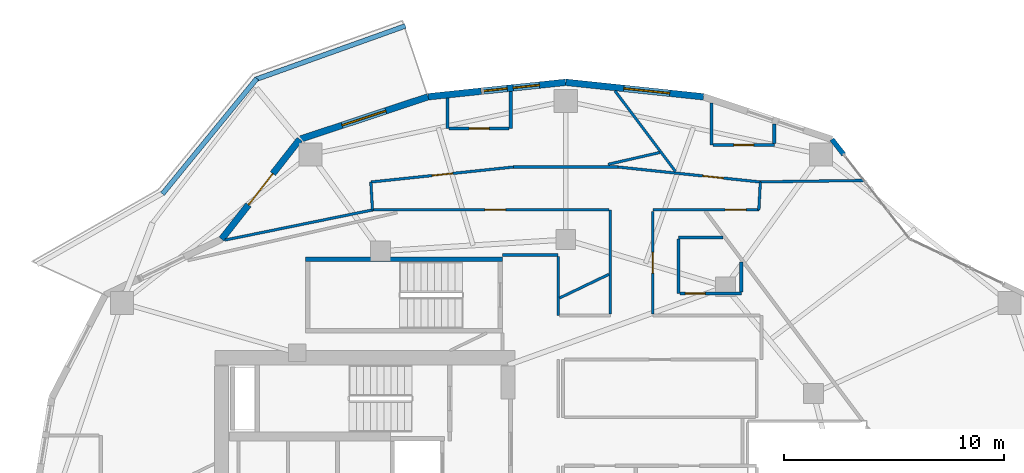
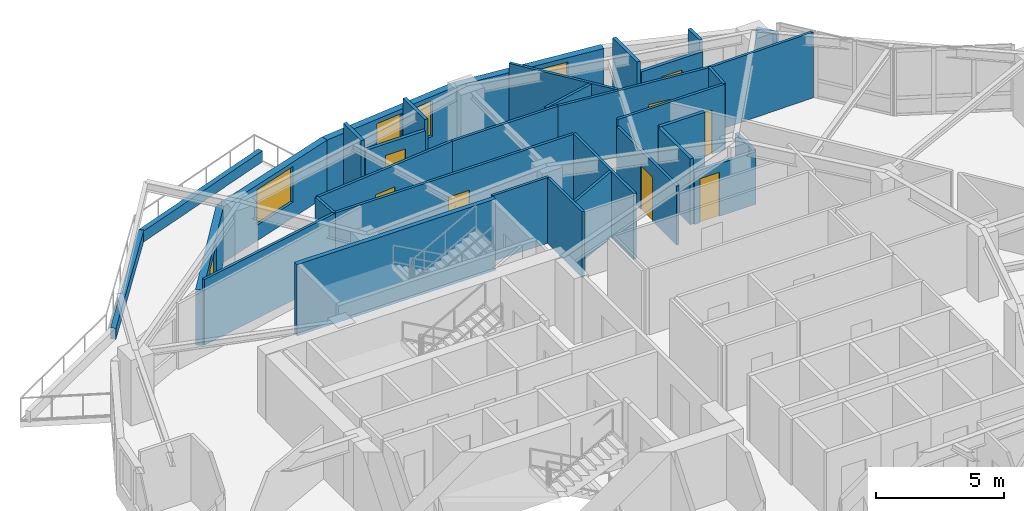
# One storey, part 12 of 19: 34 walls, 9 doors, 4 windows, 13 openings.
"""IFC4 building model written with IfcOpenShell, lengths in metres."""

from ifc_helpers import new_model, si_unit, direction, frame, frame_2d, origin, place, context, subcontext, project, spatial, rectangle, extrude, material, layer, layer_set, type_object, element, fill, save


model = new_model("IFC4")

# Units and contexts
model_context = context("Model", 3, precision=1e-05, world=origin(), true_north=direction((0.0, 1.0)))
body_context = subcontext(model_context, "Body", "Model", "MODEL_VIEW")
ifc_project = project(units=[si_unit("LENGTHUNIT", "METRE"), si_unit("AREAUNIT", "SQUARE_METRE"), si_unit("VOLUMEUNIT", "CUBIC_METRE"), si_unit("PLANEANGLEUNIT", "RADIAN"), si_unit("MASSUNIT", "GRAM", prefix="KILO")], contexts=[model_context])

# Site, building, storey
site_placement = place(None, origin())
site = spatial("IfcSite", under=ifc_project, at=site_placement, CompositionType="ELEMENT")
building_placement = place(site_placement, origin())
building = spatial("IfcBuilding", under=site, at=building_placement, Name="Kolvaren Gate Tower and Convention Centre", CompositionType="ELEMENT")
storey_placement = place(building_placement, frame((0.0, 0.0, 122.300048828125)))
storey = spatial("IfcBuildingStorey", under=building, at=storey_placement, Name="L30", CompositionType="ELEMENT", Elevation=122.300048828125)

# Walls
ifc_material_1 = material(Name="Fire-Rated Acoustic Gypsum Stud Partition", Category="gypsum")
ifc_layer_1 = layer(ifc_material_1, 0.1201171875)
ifc_layer_set_1 = layer_set([ifc_layer_1], Name="Fire-Rated Acoustic Gypsum Stud Partition")
wall_type_1 = type_object("IfcWallType", Name="ARCH-WL-PART-120", PredefinedType="PARTITIONING", material=ifc_layer_set_1)
wall_1_placement = place(storey_placement, frame((21.263916015625, 41.81787109375, 0.0), z_axis=(0.0, 0.0, 1.0), x_axis=(0.0574492264, -0.99834842935, 0.0)))
element("IfcWall", 1, at=wall_1_placement, inside=storey, type_object=wall_type_1, Name="Interior Partition WL-L30-INT-035", PredefinedType="PARTITIONING", context=body_context, shape_type="SweptSolid", body=[
    extrude(rectangle(XDim=1.270751953125, YDim=0.1201171875, at=frame_2d((0.63525390625, 0.0))), origin(), (0.0, 0.0, 1.0), 3.1298828125),
])
wall_2_placement = place(storey_placement, frame((27.25, 38.5, 0.0), z_axis=(0.0, 0.0, 1.0), x_axis=(1.0, 0.0, 0.0)))
element("IfcWall", 2, at=wall_2_placement, inside=storey, type_object=wall_type_1, Name="Interior Partition WL-L30-INT-039", PredefinedType="PARTITIONING", context=body_context, shape_type="SweptSolid", body=[
    extrude(rectangle(XDim=2.530029296875, YDim=0.1201171875, at=frame_2d((1.26513671875, 0.0))), origin(), (0.0, 0.0, 1.0), 3.1298828125),
])
wall_3_placement = place(storey_placement, frame((29.780029296875, 35.75, 0.0), z_axis=(0.0, 0.0, 1.0), x_axis=(0.0, 1.0, 0.0)))
element("IfcWall", 3, at=wall_3_placement, inside=storey, type_object=wall_type_1, Name="Interior Partition WL-L30-INT-043", PredefinedType="PARTITIONING", context=body_context, shape_type="SweptSolid", body=[
    extrude(rectangle(XDim=2.68798828125, YDim=0.1201171875, at=frame_2d((1.343994140625, 0.0))), origin(), (0.0, 0.0, 1.0), 3.1298828125),
])
wall_4_placement = place(storey_placement, frame((32.14990234375, 35.81201171875, 0.0), z_axis=(0.0, 0.0, 1.0), x_axis=(0.0, 1.0, 0.0)))
element("IfcWall", 4, at=wall_4_placement, inside=storey, type_object=wall_type_1, Name="Interior Partition WL-L30-INT-046", PredefinedType="PARTITIONING", context=body_context, shape_type="SweptSolid", body=[
    extrude(rectangle(XDim=4.738037109375, YDim=0.1201171875, at=frame_2d((2.369140625, 0.0))), origin(), (0.0, 0.0, 1.0), 3.1298828125),
])

# Wall, opening, door
wall_5_placement = place(storey_placement, frame((21.3505859375, 40.550048828125, 0.0), z_axis=(0.0, 0.0, 1.0), x_axis=(1.0, 0.0, 0.0)))
wall_5 = element("IfcWall", 5, at=wall_5_placement, inside=storey, type_object=wall_type_1, Name="Interior Partition WL-L30-INT-047", PredefinedType="PARTITIONING", context=body_context, shape_type="SweptSolid", body=[
    extrude(rectangle(XDim=10.7373046875, YDim=0.1201171875, at=frame_2d((5.36865234375, 0.0))), origin(), (0.0, 0.0, 1.0), 3.1298828125),
])
opening_1_placement = place(wall_5_placement, frame((5.09228515625, 0.0, 0.0)))
opening_1 = element("IfcOpeningElement", 6, at=opening_1_placement, cuts=wall_5, Name="Opening DR-01", PredefinedType="OPENING", context=body_context, shape_type="SweptSolid", body=[
    extrude(rectangle(XDim=0.949951171875, YDim=2.10009765625, at=frame_2d((0.47509765625, 1.050048828125))), frame((0.0, 0.070068359375, 0.0), z_axis=(0.0, -1.0, 0.0), x_axis=(1.0, 0.0, 0.0)), (0.0, 0.0, 1.0), 0.14013671875),
])
ifc_material_2 = material(Name="Painted Architectural Steelwork ASTM A500 Grade C 345 MPa", Category="steel")
door_type_1 = type_object("IfcDoorType", Name="ARCH-DR-RISER-950", OperationType="SINGLE_SWING_RIGHT", PredefinedType="DOOR", material=ifc_material_2)
door_1_placement = place(opening_1_placement, origin())
door_1 = element("IfcDoor", 7, at=door_1_placement, inside=storey, type_object=door_type_1, Name="Deluxe Hotel Suite (HTL-L30-09) Door", OperationType="SINGLE_SWING_LEFT", OverallHeight=2.10009765625, OverallWidth=0.949951171875, PredefinedType="DOOR", context=body_context, shape_type="SweptSolid", body=[
    extrude(rectangle(XDim=0.949951171875, YDim=2.10009765625, at=frame_2d((0.47509765625, 1.050048828125))), frame((0.0, 0.02490234375, 0.0), z_axis=(0.0, -1.0, 0.0), x_axis=(1.0, 0.0, 0.0)), (0.0, 0.0, 1.0), 0.050048828125),
])
fill(opening_1, door_1)

wall_6_placement = place(storey_placement, frame((34.080078125, 40.550048828125, 0.0), z_axis=(0.0, 0.0, 1.0), x_axis=(1.0, 0.0, 0.0)))
wall_6 = element("IfcWall", 8, at=wall_6_placement, inside=storey, type_object=wall_type_1, Name="Interior Partition WL-L30-INT-048", PredefinedType="PARTITIONING", context=body_context, shape_type="SweptSolid", body=[
    extrude(rectangle(XDim=4.81982421875, YDim=0.1201171875, at=frame_2d((2.409912109375, 0.0))), origin(), (0.0, 0.0, 1.0), 3.1298828125),
])
opening_2_placement = place(wall_6_placement, frame((3.29052734375, 0.0, 0.0)))
opening_2 = element("IfcOpeningElement", 9, at=opening_2_placement, cuts=wall_6, Name="Opening DR-01", PredefinedType="OPENING", context=body_context, shape_type="SweptSolid", body=[
    extrude(rectangle(XDim=0.949951171875, YDim=2.10009765625, at=frame_2d((0.47509765625, 1.050048828125))), frame((0.0, 0.070068359375, 0.0), z_axis=(0.0, -1.0, 0.0), x_axis=(1.0, 0.0, 0.0)), (0.0, 0.0, 1.0), 0.14013671875),
])
door_2_placement = place(opening_2_placement, origin())
door_2 = element("IfcDoor", 10, at=door_2_placement, inside=storey, type_object=door_type_1, Name="Deluxe Hotel Suite (HTL-L30-05) Door", OperationType="SINGLE_SWING_LEFT", OverallHeight=2.10009765625, OverallWidth=0.949951171875, PredefinedType="DOOR", context=body_context, shape_type="SweptSolid", body=[
    extrude(rectangle(XDim=0.949951171875, YDim=2.10009765625, at=frame_2d((0.47509765625, 1.050048828125))), frame((0.0, 0.02490234375, 0.0), z_axis=(0.0, -1.0, 0.0), x_axis=(1.0, 0.0, 0.0)), (0.0, 0.0, 1.0), 0.050048828125),
])
fill(opening_2, door_2)

wall_7_placement = place(storey_placement, frame((21.282958984375, 41.819091796875, 0.0), z_axis=(0.0, 0.0, 1.0), x_axis=(0.994501131299, 0.104725831799, 0.0)))
wall_7 = element("IfcWall", 11, at=wall_7_placement, inside=storey, type_object=wall_type_1, Name="Interior Partition WL-L30-INT-049", PredefinedType="PARTITIONING", context=body_context, shape_type="SweptSolid", body=[
    extrude(rectangle(XDim=6.501708984375, YDim=0.1201171875, at=frame_2d((3.2509765625, 0.0))), origin(), (0.0, 0.0, 1.0), 3.1298828125),
])
opening_3_placement = place(wall_7_placement, frame((2.77587890625, 0.0, 0.0)))
opening_3 = element("IfcOpeningElement", 12, at=opening_3_placement, cuts=wall_7, Name="Opening DR-01", PredefinedType="OPENING", context=body_context, shape_type="SweptSolid", body=[
    extrude(rectangle(XDim=0.949951171875, YDim=2.10009765625, at=frame_2d((0.47509765625, 1.050048828125))), frame((0.0, 0.070068359375, 0.0), z_axis=(0.0, -1.0, 0.0), x_axis=(1.0, 0.0, 0.0)), (0.0, 0.0, 1.0), 0.14013671875),
])
door_3_placement = place(opening_3_placement, origin())
door_3 = element("IfcDoor", 13, at=door_3_placement, inside=storey, type_object=door_type_1, Name="Hotel Guest Room (HTL-L30-08) Door", OperationType="SINGLE_SWING_RIGHT", OverallHeight=2.10009765625, OverallWidth=0.949951171875, PredefinedType="DOOR", context=body_context, shape_type="SweptSolid", body=[
    extrude(rectangle(XDim=0.949951171875, YDim=2.10009765625, at=frame_2d((0.47509765625, 1.050048828125))), frame((0.0, 0.02490234375, 0.0), z_axis=(0.0, -1.0, 0.0), x_axis=(1.0, 0.0, 0.0)), (0.0, 0.0, 1.0), 0.050048828125),
])
fill(opening_3, door_3)

# Wall
wall_8_placement = place(storey_placement, frame((27.7490234375, 42.5, 0.0), z_axis=(0.0, 0.0, 1.0), x_axis=(1.0, 0.0, 0.0)))
element("IfcWall", 14, at=wall_8_placement, inside=storey, type_object=wall_type_1, Name="Interior Partition WL-L30-INT-050", PredefinedType="PARTITIONING", context=body_context, shape_type="SweptSolid", body=[
    extrude(rectangle(XDim=4.751953125, YDim=0.1201171875, at=frame_2d((2.3759765625, 0.0))), origin(), (0.0, 0.0, 1.0), 3.1298828125),
])

# Wall, opening, door
wall_9_placement = place(storey_placement, frame((32.5009765625, 42.5, 0.0), z_axis=(0.0, 0.0, 1.0), x_axis=(0.994501131299, -0.104725831799, 0.0)))
wall_9 = element("IfcWall", 15, at=wall_9_placement, inside=storey, type_object=wall_type_1, Name="Interior Partition WL-L30-INT-051", PredefinedType="PARTITIONING", context=body_context, shape_type="SweptSolid", body=[
    extrude(rectangle(XDim=6.501708984375, YDim=0.1201171875, at=frame_2d((3.2509765625, 0.0))), origin(), (0.0, 0.0, 1.0), 3.1298828125),
])
opening_4_placement = place(wall_9_placement, frame((3.867919921875, 0.0, 0.0)))
opening_4 = element("IfcOpeningElement", 16, at=opening_4_placement, cuts=wall_9, Name="Opening DR-01", PredefinedType="OPENING", context=body_context, shape_type="SweptSolid", body=[
    extrude(rectangle(XDim=0.949951171875, YDim=2.10009765625, at=frame_2d((0.47509765625, 1.050048828125))), frame((0.0, 0.070068359375, 0.0), z_axis=(0.0, -1.0, 0.0), x_axis=(1.0, 0.0, 0.0)), (0.0, 0.0, 1.0), 0.14013671875),
])
door_4_placement = place(opening_4_placement, origin())
door_4 = element("IfcDoor", 17, at=door_4_placement, inside=storey, type_object=door_type_1, Name="Deluxe Hotel Suite (HTL-L30-07) Door", OperationType="SINGLE_SWING_LEFT", OverallHeight=2.10009765625, OverallWidth=0.949951171875, PredefinedType="DOOR", context=body_context, shape_type="SweptSolid", body=[
    extrude(rectangle(XDim=0.949951171875, YDim=2.10009765625, at=frame_2d((0.47509765625, 1.050048828125))), frame((0.0, 0.02490234375, 0.0), z_axis=(0.0, -1.0, 0.0), x_axis=(1.0, 0.0, 0.0)), (0.0, 0.0, 1.0), 0.050048828125),
])
fill(opening_4, door_4)

# Wall
wall_10_placement = place(storey_placement, frame((38.89990234375, 40.550048828125, 0.0), z_axis=(0.0, 0.0, 1.0), x_axis=(0.052810816763, 0.998604535155, 0.0)))
element("IfcWall", 18, at=wall_10_placement, inside=storey, type_object=wall_type_1, Name="Interior Partition WL-L30-INT-052", PredefinedType="PARTITIONING", context=body_context, shape_type="SweptSolid", body=[
    extrude(rectangle(XDim=1.271240234375, YDim=0.1201171875, at=frame_2d((0.6357421875, 0.0))), origin(), (0.0, 0.0, 1.0), 3.1298828125),
])

# Wall, opening, door
wall_11_placement = place(storey_placement, frame((34.080078125, 35.81201171875, 0.0), z_axis=(0.0, 0.0, 1.0), x_axis=(0.0, 1.0, 0.0)))
wall_11 = element("IfcWall", 19, at=wall_11_placement, inside=storey, type_object=wall_type_1, Name="Interior Partition WL-L30-INT-053", PredefinedType="PARTITIONING", context=body_context, shape_type="SweptSolid", body=[
    extrude(rectangle(XDim=4.676025390625, YDim=0.1201171875, at=frame_2d((2.337890625, 0.0))), origin(), (0.0, 0.0, 1.0), 2.81201171875),
])
opening_5_placement = place(wall_11_placement, frame((1.863037109375, 0.0, 0.0)))
opening_5 = element("IfcOpeningElement", 20, at=opening_5_placement, cuts=wall_11, Name="Opening DR-01", PredefinedType="OPENING", context=body_context, shape_type="SweptSolid", body=[
    extrude(rectangle(XDim=0.949951171875, YDim=2.10009765625, at=frame_2d((0.47509765625, 1.050048828125))), frame((0.0, 0.070068359375, 0.0), z_axis=(0.0, -1.0, 0.0), x_axis=(1.0, 0.0, 0.0)), (0.0, 0.0, 1.0), 0.14013671875),
])
door_5_placement = place(opening_5_placement, origin())
door_5 = element("IfcDoor", 21, at=door_5_placement, inside=storey, type_object=door_type_1, Name="Hotel Guest Room (HTL-L30-06) Door", OperationType="SINGLE_SWING_RIGHT", OverallHeight=2.10009765625, OverallWidth=0.949951171875, PredefinedType="DOOR", context=body_context, shape_type="SweptSolid", body=[
    extrude(rectangle(XDim=0.949951171875, YDim=2.10009765625, at=frame_2d((0.47509765625, 1.050048828125))), frame((0.0, 0.02490234375, 0.0), z_axis=(0.0, -1.0, 0.0), x_axis=(1.0, 0.0, 0.0)), (0.0, 0.0, 1.0), 0.050048828125),
])
fill(opening_5, door_5)

# Walls
wall_12_placement = place(storey_placement, frame((29.842041015625, 36.545654296875, 0.0), z_axis=(0.0, 0.0, 1.0), x_axis=(0.901428229546, 0.432928570294, 0.0)))
element("IfcWall", 22, at=wall_12_placement, inside=storey, type_object=wall_type_1, Name="Interior Partition WL-L30-INT-062", PredefinedType="PARTITIONING", context=body_context, shape_type="SweptSolid", body=[
    extrude(rectangle(XDim=2.491455078125, YDim=0.1201171875, at=frame_2d((1.24560546875, 0.0))), origin(), (0.0, 0.0, 1.0), 3.1298828125),
])
wall_13_placement = place(storey_placement, frame((32.35986328125, 45.9619140625, 0.0), z_axis=(0.0, 0.0, 1.0), x_axis=(0.600221002096, -0.799834200721, 0.0)))
element("IfcWall", 23, at=wall_13_placement, inside=storey, type_object=wall_type_1, Name="Interior Partition WL-L30-INT-071", PredefinedType="PARTITIONING", context=body_context, shape_type="SweptSolid", body=[
    extrude(rectangle(XDim=4.594970703125, YDim=0.1201171875, at=frame_2d((2.29736328125, 0.0))), origin(), (0.0, 0.0, 1.0), 3.1298828125),
])
wall_14_placement = place(storey_placement, frame((38.967529296875, 41.823974609375, 0.0), z_axis=(0.0, 0.0, 1.0), x_axis=(0.999903934819, 0.013860776834, 0.0)))
element("IfcWall", 24, at=wall_14_placement, inside=storey, type_object=wall_type_1, Name="Interior Partition WL-L30-INT-074", PredefinedType="PARTITIONING", context=body_context, shape_type="SweptSolid", body=[
    extrude(rectangle(XDim=4.685302734375, YDim=0.1201171875, at=frame_2d((2.3427734375, 0.0))), origin(), (0.0, 0.0, 1.0), 3.1298828125),
])
wall_15_placement = place(storey_placement, frame((32.04931640625, 42.6220703125, 0.0), z_axis=(0.0, 0.0, 1.0), x_axis=(0.974809835499, 0.223037630491, 0.0)))
element("IfcWall", 25, at=wall_15_placement, inside=storey, type_object=wall_type_1, Name="Interior Partition WL-L30-INT-090", PredefinedType="PARTITIONING", context=body_context, shape_type="SweptSolid", body=[
    extrude(rectangle(XDim=2.398193359375, YDim=0.1201171875, at=frame_2d((1.19921875, 0.0))), origin(), (0.0, 0.0, 1.0), 3.1298828125),
])
wall_16_placement = place(storey_placement, frame((14.6416015625, 39.18115234375, 0.0), z_axis=(0.0, 0.0, 1.0), x_axis=(0.979813468357, 0.199913899534, 0.0)))
element("IfcWall", 26, at=wall_16_placement, inside=storey, type_object=wall_type_1, Name="Interior Partition WL-L30-INT-091", PredefinedType="PARTITIONING", context=body_context, shape_type="SweptSolid", body=[
    extrude(rectangle(XDim=6.84619140625, YDim=0.1201171875, at=frame_2d((3.423095703125, 0.0))), origin(), (0.0, 0.0, 1.0), 3.1298828125),
])
ifc_material_3 = material(Name="Bogota Sabana Bush-Hammered Sandstone Cladding", Category="masonry")
ifc_layer_2 = layer(ifc_material_3, 0.219970703125)
ifc_layer_set_2 = layer_set([ifc_layer_2], Name="Bogota Sabana Bush-Hammered Sandstone Cladding")
wall_type_2 = type_object("IfcWallType", Name="ARCH-WL-PIER-220", PredefinedType="SOLIDWALL", material=ifc_layer_set_2)
wall_17_placement = place(storey_placement, frame((42.21875, 43.757568359375, 0.0), z_axis=(0.0, 0.0, 1.0), x_axis=(0.61650363284, -0.787352062736, 0.0)))
element("IfcWall", 27, at=wall_17_placement, inside=storey, type_object=wall_type_2, Name="Tower L30 Unitised Curtain Wall CW-HTL-UNIT Bay 03 Left Column Pier Wrap", PredefinedType="SOLIDWALL", context=body_context, shape_type="SweptSolid", body=[
    extrude(rectangle(XDim=0.8759765625, YDim=0.219970703125, at=frame_2d((0.43798828125, 0.0))), origin(), (0.0, 0.0, 1.0), 2.65283203125),
])
ifc_material_4 = material(Name="Piedmont Cream Honed Limestone Cladding", Category="masonry")
ifc_layer_3 = layer(ifc_material_4, 0.219970703125)
ifc_layer_set_3 = layer_set([ifc_layer_3], Name="Piedmont Cream Honed Limestone Cladding")
wall_type_3 = type_object("IfcWallType", Name="ARCH-WL-PLANTER-220", PredefinedType="PARAPET", material=ifc_layer_set_3)
wall_18_placement = place(storey_placement, frame((16.01806640625, 46.476806640625, 0.0), z_axis=(0.0, 0.0, 1.0), x_axis=(0.941628873241, 0.336652736627, 0.0)))
element("IfcWall", 28, at=wall_18_placement, inside=storey, type_object=wall_type_3, Name="Vertical-Forest Balcony Stone Planter Kerb PK-L30-1.1", PredefinedType="PARAPET", context=body_context, shape_type="SweptSolid", body=[
    extrude(rectangle(XDim=7.2353515625, YDim=0.219970703125, at=frame_2d((3.61767578125, 0.0))), origin(), (0.0, 0.0, 1.0), 0.52001953125),
])
wall_19_placement = place(storey_placement, frame((11.791015625, 41.274169921875, 0.0), z_axis=(0.0, 0.0, 1.0), x_axis=(0.633024046468, 0.774132131224, 0.0)))
element("IfcWall", 29, at=wall_19_placement, inside=storey, type_object=wall_type_3, Name="Vertical-Forest Balcony Stone Planter Kerb PK-L30-1.2", PredefinedType="PARAPET", context=body_context, shape_type="SweptSolid", body=[
    extrude(rectangle(XDim=6.780517578125, YDim=0.219970703125, at=frame_2d((3.39013671875, 0.0))), origin(), (0.0, 0.0, 1.0), 0.52001953125),
])

# Wall, opening, window
ifc_layer_4 = layer(ifc_material_4, 0.300048828125)
ifc_layer_set_4 = layer_set([ifc_layer_4], Name="Piedmont Cream Honed Limestone Cladding")
wall_type_4 = type_object("IfcWallType", Name="ARCH-WL-STONE-300", PredefinedType="SOLIDWALL", material=ifc_layer_set_4)
wall_20_placement = place(storey_placement, frame((30.125, 46.35009765625, 0.0), z_axis=(0.0, 0.0, 1.0), x_axis=(0.994498012394, -0.104755445421, 0.0)))
wall_20 = element("IfcWall", 30, at=wall_20_placement, inside=storey, type_object=wall_type_4, Name="Tower L30 Honed Stone Spandrel Wall EW-05", PredefinedType="SOLIDWALL", context=body_context, shape_type="SweptSolid", body=[
    extrude(rectangle(XDim=6.294921875, YDim=0.300048828125, at=frame_2d((3.1474609375, 0.0))), origin(), (0.0, 0.0, 1.0), 2.65283203125),
])
opening_6_placement = place(wall_20_placement, frame((2.64990234375, 0.0, 0.739990234375)))
opening_6 = element("IfcOpeningElement", 31, at=opening_6_placement, cuts=wall_20, Name="Opening W-02", PredefinedType="OPENING", context=body_context, shape_type="SweptSolid", body=[
    extrude(rectangle(XDim=2.10009765625, YDim=1.699951171875, at=frame_2d((1.050048828125, 0.85009765625))), frame((0.0, 0.159912109375, 0.0), z_axis=(0.0, -1.0, 0.0), x_axis=(1.0, 0.0, 0.0)), (0.0, 0.0, 1.0), 0.320068359375),
])
ifc_material_5 = material(Name="Low-E Triple Insulated Glazing Unit 44 mm", Category="glass")
window_type_1 = type_object("IfcWindowType", Name="ARCH-WN-HTL-2100", PartitioningType="SINGLE_PANEL", PredefinedType="WINDOW", material=ifc_material_5)
window_1_placement = place(opening_6_placement, origin())
window_1 = element("IfcWindow", 32, at=window_1_placement, inside=storey, type_object=window_type_1, Name="Tower L30 Punched Stone Facade Window W-05", OverallHeight=1.699951171875, OverallWidth=2.10009765625, PartitioningType="SINGLE_PANEL", PredefinedType="WINDOW", context=body_context, shape_type="SweptSolid", body=[
    extrude(rectangle(XDim=2.10009765625, YDim=1.699951171875, at=frame_2d((1.050048828125, 0.85009765625))), frame((0.0, 0.030029296875, 0.0), z_axis=(0.0, -1.0, 0.0), x_axis=(1.0, 0.0, 0.0)), (0.0, 0.0, 1.0), 0.06005859375),
])
fill(opening_6, window_1)

# Wall, openings, windows
wall_21_placement = place(storey_placement, frame((23.86474609375, 45.690673828125, 0.0), z_axis=(0.0, 0.0, 1.0), x_axis=(0.994498012394, 0.104755445421, 0.0)))
wall_21 = element("IfcWall", 33, at=wall_21_placement, inside=storey, type_object=wall_type_4, Name="Tower L30 Honed Stone Spandrel Wall EW-06", PredefinedType="SOLIDWALL", context=body_context, shape_type="SweptSolid", body=[
    extrude(rectangle(XDim=6.294921875, YDim=0.300048828125, at=frame_2d((3.1474609375, 0.0))), origin(), (0.0, 0.0, 1.0), 2.65283203125),
])
opening_7_placement = place(wall_21_placement, frame((2.42333984375, 0.0, 0.739990234375)))
opening_7 = element("IfcOpeningElement", 34, at=opening_7_placement, cuts=wall_21, Name="Opening W-04", PredefinedType="OPENING", context=body_context, shape_type="SweptSolid", body=[
    extrude(rectangle(XDim=1.199951171875, YDim=1.699951171875, at=frame_2d((0.60009765625, 0.85009765625))), frame((0.0, 0.159912109375, 0.0), z_axis=(0.0, -1.0, 0.0), x_axis=(1.0, 0.0, 0.0)), (0.0, 0.0, 1.0), 0.320068359375),
])
opening_8_placement = place(wall_21_placement, frame((3.889892578125, 0.0, 0.739990234375)))
opening_8 = element("IfcOpeningElement", 35, at=opening_8_placement, cuts=wall_21, Name="Opening W-04", PredefinedType="OPENING", context=body_context, shape_type="SweptSolid", body=[
    extrude(rectangle(XDim=1.199951171875, YDim=1.699951171875, at=frame_2d((0.60009765625, 0.85009765625))), frame((0.0, 0.159912109375, 0.0), z_axis=(0.0, -1.0, 0.0), x_axis=(1.0, 0.0, 0.0)), (0.0, 0.0, 1.0), 0.320068359375),
])
window_type_2 = type_object("IfcWindowType", Name="ARCH-WN-NARROW-1200", PartitioningType="SINGLE_PANEL", PredefinedType="WINDOW", material=ifc_material_5)
window_2_placement = place(opening_7_placement, origin())
window_2 = element("IfcWindow", 36, at=window_2_placement, inside=storey, type_object=window_type_2, Name="Tower L30 Punched Stone Facade Window W-06", OverallHeight=1.699951171875, OverallWidth=1.199951171875, PartitioningType="SINGLE_PANEL", PredefinedType="WINDOW", context=body_context, shape_type="SweptSolid", body=[
    extrude(rectangle(XDim=1.199951171875, YDim=1.699951171875, at=frame_2d((0.60009765625, 0.85009765625))), frame((0.0, 0.030029296875, 0.0), z_axis=(0.0, -1.0, 0.0), x_axis=(1.0, 0.0, 0.0)), (0.0, 0.0, 1.0), 0.06005859375),
])
fill(opening_7, window_2)
window_3_placement = place(opening_8_placement, origin())
window_3 = element("IfcWindow", 37, at=window_3_placement, inside=storey, type_object=window_type_2, Name="Tower L30 Punched Stone Facade Window W-06B", OverallHeight=1.699951171875, OverallWidth=1.199951171875, PartitioningType="SINGLE_PANEL", PredefinedType="WINDOW", context=body_context, shape_type="SweptSolid", body=[
    extrude(rectangle(XDim=1.199951171875, YDim=1.699951171875, at=frame_2d((0.60009765625, 0.85009765625))), frame((0.0, 0.030029296875, 0.0), z_axis=(0.0, -1.0, 0.0), x_axis=(1.0, 0.0, 0.0)), (0.0, 0.0, 1.0), 0.06005859375),
])
fill(opening_8, window_3)

# Wall, opening, window
wall_22_placement = place(storey_placement, frame((18.03125, 43.757568359375, 0.0), z_axis=(0.0, 0.0, 1.0), x_axis=(0.949238009374, 0.314558741032, 0.0)))
wall_22 = element("IfcWall", 38, at=wall_22_placement, inside=storey, type_object=wall_type_4, Name="Tower L30 Honed Stone Spandrel Wall EW-07", PredefinedType="SOLIDWALL", context=body_context, shape_type="SweptSolid", body=[
    extrude(rectangle(XDim=6.1455078125, YDim=0.300048828125, at=frame_2d((3.07275390625, 0.0))), origin(), (0.0, 0.0, 1.0), 2.65283203125),
])
opening_9_placement = place(wall_22_placement, frame((2.02294921875, 0.0, 0.739990234375)))
opening_9 = element("IfcOpeningElement", 39, at=opening_9_placement, cuts=wall_22, Name="Opening W-02", PredefinedType="OPENING", context=body_context, shape_type="SweptSolid", body=[
    extrude(rectangle(XDim=2.10009765625, YDim=1.699951171875, at=frame_2d((1.050048828125, 0.85009765625))), frame((0.0, 0.159912109375, 0.0), z_axis=(0.0, -1.0, 0.0), x_axis=(1.0, 0.0, 0.0)), (0.0, 0.0, 1.0), 0.320068359375),
])
window_4_placement = place(opening_9_placement, origin())
window_4 = element("IfcWindow", 40, at=window_4_placement, inside=storey, type_object=window_type_1, Name="Tower L30 Punched Stone Facade Window W-07", OverallHeight=1.699951171875, OverallWidth=2.10009765625, PartitioningType="SINGLE_PANEL", PredefinedType="WINDOW", context=body_context, shape_type="SweptSolid", body=[
    extrude(rectangle(XDim=2.10009765625, YDim=1.699951171875, at=frame_2d((1.050048828125, 0.85009765625))), frame((0.0, 0.030029296875, 0.0), z_axis=(0.0, -1.0, 0.0), x_axis=(1.0, 0.0, 0.0)), (0.0, 0.0, 1.0), 0.06005859375),
])
fill(opening_9, window_4)

# Wall, opening, door
wall_23_placement = place(storey_placement, frame((14.481201171875, 39.222900390625, 0.0), z_axis=(0.0, 0.0, 1.0), x_axis=(0.616435134162, 0.787405693001, 0.0)))
wall_23 = element("IfcWall", 41, at=wall_23_placement, inside=storey, type_object=wall_type_4, Name="Tower L30 Honed Stone Spandrel Wall EW-08", PredefinedType="SOLIDWALL", context=body_context, shape_type="SweptSolid", body=[
    extrude(rectangle(XDim=5.759033203125, YDim=0.300048828125, at=frame_2d((2.87939453125, 0.0))), origin(), (0.0, 0.0, 1.0), 2.65283203125),
])
opening_10_placement = place(wall_23_placement, frame((1.97900390625, 0.0, 0.0)))
opening_10 = element("IfcOpeningElement", 42, at=opening_10_placement, cuts=wall_23, Name="Opening DB-01", PredefinedType="OPENING", context=body_context, shape_type="SweptSolid", body=[
    extrude(rectangle(XDim=1.800048828125, YDim=2.25, at=frame_2d((0.89990234375, 1.125))), frame((0.0, 0.159912109375, 0.0), z_axis=(0.0, -1.0, 0.0), x_axis=(1.0, 0.0, 0.0)), (0.0, 0.0, 1.0), 0.320068359375),
])
ifc_material_6 = material(Name="Anodized Architectural Aluminium Alloy 6063-T6", Category="aluminium")
door_type_2 = type_object("IfcDoorType", Name="ARCH-DR-BALC-1800", OperationType="SLIDING_TO_LEFT", PredefinedType="DOOR", material=ifc_material_6)
door_6_placement = place(opening_10_placement, origin())
door_6 = element("IfcDoor", 43, at=door_6_placement, inside=storey, type_object=door_type_2, Name="Planted Sky Terrace Access Door DB-L30-08", OperationType="SLIDING_TO_LEFT", OverallHeight=2.25, OverallWidth=1.800048828125, PredefinedType="DOOR", context=body_context, shape_type="SweptSolid", body=[
    extrude(rectangle(XDim=1.800048828125, YDim=2.25, at=frame_2d((0.89990234375, 1.125))), frame((0.0, 0.02490234375, 0.0), z_axis=(0.0, -1.0, 0.0), x_axis=(1.0, 0.0, 0.0)), (0.0, 0.0, 1.0), 0.050048828125),
])
fill(opening_10, door_6)

# Walls
ifc_material_7 = material(Name="Moisture-Resistant Cement-Board Acoustic Partition", Category="gypsum")
ifc_layer_5 = layer(ifc_material_7, 0.14990234375)
ifc_layer_set_5 = layer_set([ifc_layer_5], Name="Moisture-Resistant Cement-Board Acoustic Partition")
wall_type_5 = type_object("IfcWallType", Name="ARCH-WL-WET-150", PredefinedType="PARTITIONING", material=ifc_layer_set_5)
wall_24_placement = place(storey_placement, frame((27.6201171875, 44.25, 0.0), z_axis=(0.0, 0.0, 1.0), x_axis=(0.0, 1.0, 0.0)))
element("IfcWall", 44, at=wall_24_placement, inside=storey, type_object=wall_type_5, Name="Interior Partition WL-L30-INT-004", PredefinedType="PARTITIONING", context=body_context, shape_type="SweptSolid", body=[
    extrude(rectangle(XDim=1.683349609375, YDim=0.14990234375, at=frame_2d((0.841796875, 0.0))), origin(), (0.0, 0.0, 1.0), 3.1298828125),
])
wall_25_placement = place(storey_placement, frame((35.25, 39.300048828125, 0.0), z_axis=(0.0, 0.0, 1.0), x_axis=(1.0, 0.0, 0.0)))
element("IfcWall", 45, at=wall_25_placement, inside=storey, type_object=wall_type_5, Name="Interior Partition WL-L30-INT-080", PredefinedType="PARTITIONING", context=body_context, shape_type="SweptSolid", body=[
    extrude(rectangle(XDim=2.0126953125, YDim=0.14990234375, at=frame_2d((1.00634765625, 0.0))), origin(), (0.0, 0.0, 1.0), 3.1298828125),
])
wall_26_placement = place(storey_placement, frame((35.25, 36.75, 0.0), z_axis=(0.0, 0.0, 1.0), x_axis=(0.0, 1.0, 0.0)))
element("IfcWall", 46, at=wall_26_placement, inside=storey, type_object=wall_type_5, Name="Interior Partition WL-L30-INT-081", PredefinedType="PARTITIONING", context=body_context, shape_type="SweptSolid", body=[
    extrude(rectangle(XDim=2.472900390625, YDim=0.14990234375, at=frame_2d((1.236328125, 0.0))), origin(), (0.0, 0.0, 1.0), 3.1298828125),
])

# Wall, opening, door
wall_27_placement = place(storey_placement, frame((35.326904296875, 36.75, 0.0), z_axis=(0.0, 0.0, 1.0), x_axis=(1.0, 0.0, 0.0)))
wall_27 = element("IfcWall", 47, at=wall_27_placement, inside=storey, type_object=wall_type_5, Name="Interior Partition WL-L30-INT-082", PredefinedType="PARTITIONING", context=body_context, shape_type="SweptSolid", body=[
    extrude(rectangle(XDim=2.773193359375, YDim=0.14990234375, at=frame_2d((1.38671875, 0.0))), origin(), (0.0, 0.0, 1.0), 2.5048828125),
])
opening_11_placement = place(wall_27_placement, frame((0.236572265625, 0.0, 0.0)))
opening_11 = element("IfcOpeningElement", 48, at=opening_11_placement, cuts=wall_27, Name="Opening DW-01", PredefinedType="OPENING", context=body_context, shape_type="SweptSolid", body=[
    extrude(rectangle(XDim=0.89990234375, YDim=2.10009765625, at=frame_2d((0.449951171875, 1.050048828125))), frame((0.0, 0.0849609375, 0.0), z_axis=(0.0, -1.0, 0.0), x_axis=(1.0, 0.0, 0.0)), (0.0, 0.0, 1.0), 0.169921875),
])
ifc_material_8 = material(Name="FSC Andean Oak Engineered Veneer Door Leaf", Category="wood")
door_type_3 = type_object("IfcDoorType", Name="ARCH-DR-WC-900", OperationType="SINGLE_SWING_RIGHT", PredefinedType="DOOR", material=ifc_material_8)
door_7_placement = place(opening_11_placement, origin())
door_7 = element("IfcDoor", 49, at=door_7_placement, inside=storey, type_object=door_type_3, Name="En-suite Bathroom (HTL-L30-06) Door", OperationType="SINGLE_SWING_LEFT", OverallHeight=2.10009765625, OverallWidth=0.89990234375, PredefinedType="DOOR", context=body_context, shape_type="SweptSolid", body=[
    extrude(rectangle(XDim=0.89990234375, YDim=2.10009765625, at=frame_2d((0.449951171875, 1.050048828125))), frame((0.0, 0.02490234375, 0.0), z_axis=(0.0, -1.0, 0.0), x_axis=(1.0, 0.0, 0.0)), (0.0, 0.0, 1.0), 0.050048828125),
])
fill(opening_11, door_7)

# Walls
wall_28_placement = place(storey_placement, frame((38.10009765625, 36.826904296875, 0.0), z_axis=(0.0, 0.0, 1.0), x_axis=(0.0, 1.0, 0.0)))
element("IfcWall", 50, at=wall_28_placement, inside=storey, type_object=wall_type_5, Name="Interior Partition WL-L30-INT-083", PredefinedType="PARTITIONING", context=body_context, shape_type="SweptSolid", body=[
    extrude(rectangle(XDim=1.357421875, YDim=0.14990234375, at=frame_2d((0.6787109375, 0.0))), origin(), (0.0, 0.0, 1.0), 2.5048828125),
])
wall_29_placement = place(storey_placement, frame((36.75, 43.5, 0.0), z_axis=(0.0, 0.0, 1.0), x_axis=(0.0, 1.0, 0.0)))
element("IfcWall", 51, at=wall_29_placement, inside=storey, type_object=wall_type_5, Name="Interior Partition WL-L30-INT-084", PredefinedType="PARTITIONING", context=body_context, shape_type="SweptSolid", body=[
    extrude(rectangle(XDim=1.90966796875, YDim=0.14990234375, at=frame_2d((0.954833984375, 0.0))), origin(), (0.0, 0.0, 1.0), 3.1298828125),
])

# Wall, opening, door
wall_30_placement = place(storey_placement, frame((36.826904296875, 43.5, 0.0), z_axis=(0.0, 0.0, 1.0), x_axis=(1.0, 0.0, 0.0)))
wall_30 = element("IfcWall", 52, at=wall_30_placement, inside=storey, type_object=wall_type_5, Name="Interior Partition WL-L30-INT-085", PredefinedType="PARTITIONING", context=body_context, shape_type="SweptSolid", body=[
    extrude(rectangle(XDim=2.773193359375, YDim=0.14990234375, at=frame_2d((1.38671875, 0.0))), origin(), (0.0, 0.0, 1.0), 2.65283203125),
])
opening_12_placement = place(wall_30_placement, frame((0.9365234375, 0.0, 0.0)))
opening_12 = element("IfcOpeningElement", 53, at=opening_12_placement, cuts=wall_30, Name="Opening DW-01", PredefinedType="OPENING", context=body_context, shape_type="SweptSolid", body=[
    extrude(rectangle(XDim=0.89990234375, YDim=2.10009765625, at=frame_2d((0.449951171875, 1.050048828125))), frame((0.0, 0.0849609375, 0.0), z_axis=(0.0, -1.0, 0.0), x_axis=(1.0, 0.0, 0.0)), (0.0, 0.0, 1.0), 0.169921875),
])
door_8_placement = place(opening_12_placement, origin())
door_8 = element("IfcDoor", 54, at=door_8_placement, inside=storey, type_object=door_type_3, Name="En-suite Bathroom (HTL-L30-07) Door", OperationType="SINGLE_SWING_RIGHT", OverallHeight=2.10009765625, OverallWidth=0.89990234375, PredefinedType="DOOR", context=body_context, shape_type="SweptSolid", body=[
    extrude(rectangle(XDim=0.89990234375, YDim=2.10009765625, at=frame_2d((0.449951171875, 1.050048828125))), frame((0.0, 0.02490234375, 0.0), z_axis=(0.0, -1.0, 0.0), x_axis=(1.0, 0.0, 0.0)), (0.0, 0.0, 1.0), 0.050048828125),
])
fill(opening_12, door_8)

# Walls
wall_31_placement = place(storey_placement, frame((39.60009765625, 43.576904296875, 0.0), z_axis=(0.0, 0.0, 1.0), x_axis=(0.0, 1.0, 0.0)))
element("IfcWall", 55, at=wall_31_placement, inside=storey, type_object=wall_type_5, Name="Interior Partition WL-L30-INT-086", PredefinedType="PARTITIONING", context=body_context, shape_type="SweptSolid", body=[
    extrude(rectangle(XDim=0.888427734375, YDim=0.14990234375, at=frame_2d((0.4443359375, 0.0))), origin(), (0.0, 0.0, 1.0), 3.1298828125),
])
wall_32_placement = place(storey_placement, frame((24.75, 44.25, 0.0), z_axis=(0.0, 0.0, 1.0), x_axis=(0.0, 1.0, 0.0)))
element("IfcWall", 56, at=wall_32_placement, inside=storey, type_object=wall_type_5, Name="Interior Partition WL-L30-INT-087", PredefinedType="PARTITIONING", context=body_context, shape_type="SweptSolid", body=[
    extrude(rectangle(XDim=1.381103515625, YDim=0.14990234375, at=frame_2d((0.6904296875, 0.0))), origin(), (0.0, 0.0, 1.0), 3.1298828125),
])

# Wall, opening, door
wall_33_placement = place(storey_placement, frame((24.826904296875, 44.25, 0.0), z_axis=(0.0, 0.0, 1.0), x_axis=(1.0, 0.0, 0.0)))
wall_33 = element("IfcWall", 57, at=wall_33_placement, inside=storey, type_object=wall_type_5, Name="Interior Partition WL-L30-INT-088", PredefinedType="PARTITIONING", context=body_context, shape_type="SweptSolid", body=[
    extrude(rectangle(XDim=2.716064453125, YDim=0.14990234375, at=frame_2d((1.35791015625, 0.0))), origin(), (0.0, 0.0, 1.0), 2.65283203125),
])
opening_13_placement = place(wall_33_placement, frame((0.907958984375, 0.0, 0.0)))
opening_13 = element("IfcOpeningElement", 58, at=opening_13_placement, cuts=wall_33, Name="Opening DW-01", PredefinedType="OPENING", context=body_context, shape_type="SweptSolid", body=[
    extrude(rectangle(XDim=0.89990234375, YDim=2.10009765625, at=frame_2d((0.449951171875, 1.050048828125))), frame((0.0, 0.0849609375, 0.0), z_axis=(0.0, -1.0, 0.0), x_axis=(1.0, 0.0, 0.0)), (0.0, 0.0, 1.0), 0.169921875),
])
door_9_placement = place(opening_13_placement, origin())
door_9 = element("IfcDoor", 59, at=door_9_placement, inside=storey, type_object=door_type_3, Name="En-suite Bathroom (HTL-L30-08) Door", OperationType="SINGLE_SWING_LEFT", OverallHeight=2.10009765625, OverallWidth=0.89990234375, PredefinedType="DOOR", context=body_context, shape_type="SweptSolid", body=[
    extrude(rectangle(XDim=0.89990234375, YDim=2.10009765625, at=frame_2d((0.449951171875, 1.050048828125))), frame((0.0, 0.02490234375, 0.0), z_axis=(0.0, -1.0, 0.0), x_axis=(1.0, 0.0, 0.0)), (0.0, 0.0, 1.0), 0.050048828125),
])
fill(opening_13, door_9)

# Wall
ifc_material_9 = material(Name="Concrete C50/60", Category="concrete")
ifc_layer_6 = layer(ifc_material_9, 0.199951171875)
ifc_layer_set_6 = layer_set([ifc_layer_6], Name="Concrete C50/60")
wall_type_6 = type_object("IfcWallType", Name="STR-WL-SHAFT-200", PredefinedType="SHEAR", material=ifc_layer_set_6)
wall_34_placement = place(storey_placement, frame((18.300048828125, 38.300048828125, -0.27001953125), z_axis=(0.0, 0.0, 1.0), x_axis=(1.0, 0.0, 0.0)))
element("IfcWall", 60, at=wall_34_placement, inside=storey, type_object=wall_type_6, Name="Tower Mid-Zone Exit Stair ST-T3 L30 Structural Shear Enclosure Wall LEFT", PredefinedType="SHEAR", context=body_context, shape_type="SweptSolid", body=[
    extrude(rectangle(XDim=8.949951171875, YDim=0.199951171875, at=frame_2d((4.47509765625, 0.0))), origin(), (0.0, 0.0, 1.0), 3.39990234375),
])

save(model, "model.ifc")
